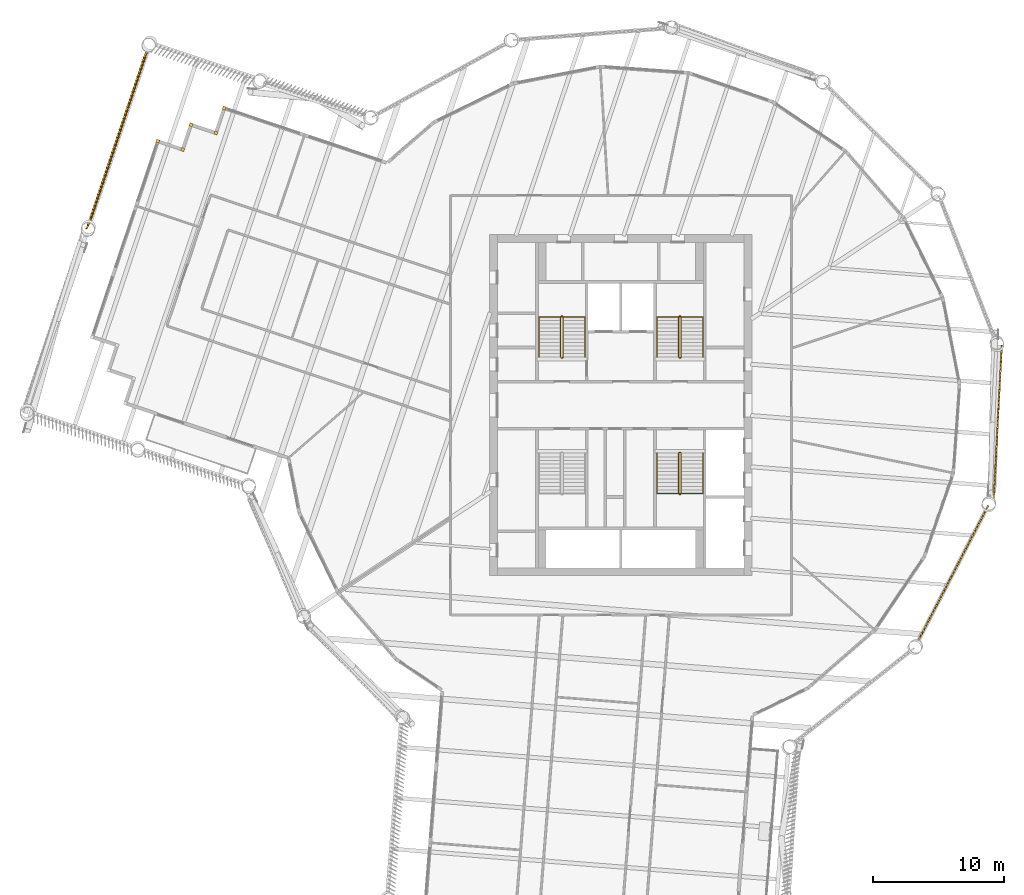
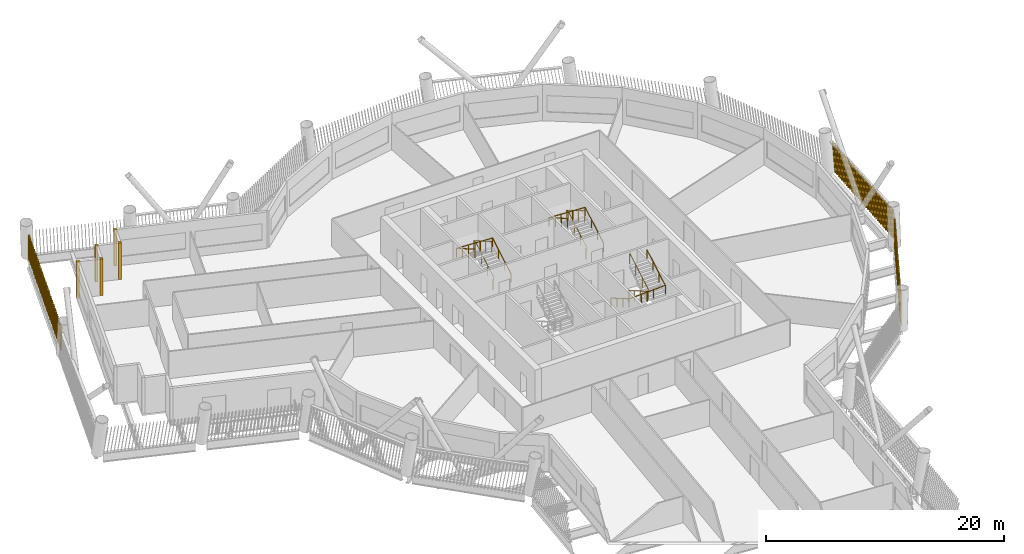
# One storey, part 19 of 21: 8 shading devices, 6 railings.
"""IFC4 building model written with IfcOpenShell, lengths in metres."""

import ifcopenshell
import ifcopenshell.guid

model = None  # the IFC model being written
_history = None  # IfcOwnerHistory: only IFC2X3 demands one
_inside = {}  # id of a spatial element -> (the spatial element, [elements in it])
_under = {}  # id of a project, library or spatial element -> (it, [spatial elements below it])
_declared = {}  # id of a project -> (the project, [libraries it declares])
_typed = {}  # id of a type object -> (the type object, [elements of that type])
_made_of = {}  # id of a material, layer set ... -> (it, [elements and type objects made of it])


def new_model(schema):
    """Start an empty IFC model of exactly this schema.

    Asked for "IFC4X3", IfcOpenShell would pick the latest addendum, in which some entities
    have other attributes; the version numbers below select the first issue.
    IFC2X3 requires an IfcOwnerHistory on every rooted entity: one is made here for all.
    """
    global model, _history
    if schema == "IFC4X3":
        model = ifcopenshell.file(schema_version=(4, 3, 0, 0))
    else:
        model = ifcopenshell.file(schema=schema)
    _inside.clear()
    _under.clear()
    _declared.clear()
    _typed.clear()
    _made_of.clear()
    _history = None
    if model.schema == "IFC2X3":
        org = make("IfcOrganization", Name="unknown")
        user = make(
            "IfcPersonAndOrganization",
            ThePerson=make("IfcPerson", FamilyName="unknown"),
            TheOrganization=org,
        )
        app = make(
            "IfcApplication",
            ApplicationDeveloper=org,
            Version="unknown",
            ApplicationFullName="unknown",
            ApplicationIdentifier="unknown",
        )
        _history = make(
            "IfcOwnerHistory",
            OwningUser=user,
            OwningApplication=app,
            ChangeAction="ADDED",
            CreationDate=0,
        )
    return model


def make(cls, **values):
    """One entity of the class cls with the attributes given. An attribute that is None is left unset."""
    return model.create_entity(
        cls, **{name: value for name, value in values.items() if value is not None}
    )


def rooted(cls, **values):
    """An entity with a GlobalId (a new one), such as an element, a storey or a relation."""
    return make(cls, GlobalId=ifcopenshell.guid.new(), OwnerHistory=_history, **values)


def si_unit(unit_type, name, prefix=None):
    """IfcSIUnit, for example si_unit("LENGTHUNIT", "METRE", prefix="MILLI")."""
    return make("IfcSIUnit", UnitType=unit_type, Prefix=prefix, Name=name)


def assignment(units):
    """IfcUnitAssignment: the units of a project."""
    return None if units is None else make("IfcUnitAssignment", Units=units)


def point(xyz):
    """IfcCartesianPoint."""
    return None if xyz is None else make("IfcCartesianPoint", Coordinates=xyz)


def direction(xyz):
    """IfcDirection."""
    return None if xyz is None else make("IfcDirection", DirectionRatios=xyz)


def frame(location, z_axis=None, x_axis=None):
    """IfcAxis2Placement3D, a coordinate frame: its origin and axes. An axis left out is left unset."""
    return make(
        "IfcAxis2Placement3D",
        Location=point(location),
        Axis=direction(z_axis),
        RefDirection=direction(x_axis),
    )


def frame_2d(location, x_axis=None):
    """IfcAxis2Placement2D, a coordinate frame in the plane: its origin and x axis."""
    return make(
        "IfcAxis2Placement2D", Location=point(location), RefDirection=direction(x_axis)
    )


def origin():
    """The frame at (0, 0, 0) with its axes left unset."""
    return frame((0.0, 0.0, 0.0))


def origin_2d():
    """The frame at (0, 0) in the plane with its x axis left unset."""
    return frame_2d((0.0, 0.0))


def place(relative_to, where):
    """IfcLocalPlacement: puts the frame where relative to a parent placement (None: the world)."""
    return make(
        "IfcLocalPlacement", PlacementRelTo=relative_to, RelativePlacement=where
    )


def context(
    kind, dimensions, precision=None, world=None, true_north=None, identifier=None
):
    """IfcGeometricRepresentationContext, for example the 3D "Model" context."""
    return make(
        "IfcGeometricRepresentationContext",
        ContextIdentifier=identifier,
        ContextType=kind,
        CoordinateSpaceDimension=dimensions,
        Precision=precision,
        WorldCoordinateSystem=world,
        TrueNorth=true_north,
    )


def subcontext(parent, identifier, kind, view, scale=None):
    """IfcGeometricRepresentationSubContext, for example "Body" below "Model"."""
    return make(
        "IfcGeometricRepresentationSubContext",
        ContextIdentifier=identifier,
        ContextType=kind,
        ParentContext=parent,
        TargetScale=scale,
        TargetView=view,
    )


def project(units=None, contexts=None):
    """IfcProject with its units and contexts."""
    return rooted(
        "IfcProject",
        Name="project",
        RepresentationContexts=contexts,
        UnitsInContext=assignment(units),
    )


def spatial(cls, under=None, at=None, **own):
    """A site, building, storey or space (cls), placed at a placement, below another one or the project."""
    s = rooted(cls, ObjectPlacement=at, **own)
    if under is not None:
        _under.setdefault(under.id(), (under, []))[1].append(s)
    return s


def profile(cls, at=None, kind="AREA", **sizes):
    """A parametric profile (cls). Its sizes go by their IFC names, for example OverallWidth=200.0."""
    return make(cls, ProfileType=kind, Position=at, **sizes)


def rectangle(**sizes):
    """IfcRectangleProfileDef."""
    return profile("IfcRectangleProfileDef", **sizes)


def circle(**sizes):
    """IfcCircleProfileDef."""
    return profile("IfcCircleProfileDef", **sizes)


def composite_profile(profiles, kind="AREA"):
    """IfcCompositeProfileDef: several profiles as one."""
    return make("IfcCompositeProfileDef", ProfileType=kind, Profiles=profiles)


def extrude(swept, where, along, depth):
    """IfcExtrudedAreaSolid: the profile swept, set in the frame where, extruded along a direction by depth."""
    return make(
        "IfcExtrudedAreaSolid",
        SweptArea=swept,
        Position=where,
        ExtrudedDirection=direction(along),
        Depth=depth,
    )


def shape(context_of_items, identifier, shape_type, items):
    """IfcShapeRepresentation: the items that make up one representation, for example the "Body"."""
    return make(
        "IfcShapeRepresentation",
        ContextOfItems=context_of_items,
        RepresentationIdentifier=identifier,
        RepresentationType=shape_type,
        Items=items,
    )


def material(Name=None, Category=None):
    """IfcMaterial."""
    return make("IfcMaterial", Name=Name, Category=Category)


def made_of(thing, what):
    """Note that an element or type object is made of a material, layer set ...; save() writes the relation."""
    if what is not None:
        _made_of.setdefault(what.id(), (what, []))[1].append(thing)
    return thing


def type_object(cls, material=None, **own):
    """A type object (cls), such as IfcWallType, which elements share."""
    return made_of(rooted(cls, **own), material)


def element(
    cls,
    number,
    at=None,
    inside=None,
    cuts=None,
    type_object=None,
    material=None,
    context=None,
    identifier="Body",
    shape_type=None,
    held_by="IfcProductDefinitionShape",
    body=None,
    shapes=None,
    **own,
):
    """One element of the class cls, such as IfcWall. Its Tag is "e" and its number.

    at: its placement. inside: the storey or other place that contains it. cuts: it is an
    opening in that element (IfcRelVoidsElement). A single representation is given by context,
    identifier, shape_type and body (its items); several are given by shapes. held_by: the class
    of the entity that holds the representations. save() writes the other relations.
    """
    e = rooted(cls, Tag="e%d" % number, ObjectPlacement=at, **own)
    if body is not None:
        shapes = [shape(context, identifier, shape_type, body)]
    if shapes is not None:
        e.Representation = make(held_by, Representations=shapes)
    if inside is not None:
        _inside.setdefault(inside.id(), (inside, []))[1].append(e)
    if cuts is not None:
        rooted(
            "IfcRelVoidsElement", RelatingBuildingElement=cuts, RelatedOpeningElement=e
        )
    if type_object is not None:
        _typed.setdefault(type_object.id(), (type_object, []))[1].append(e)
    return made_of(e, material)


def aggregate(whole, parts):
    """IfcRelAggregates: a whole, such as a stair, and the parts it consists of."""
    return rooted("IfcRelAggregates", RelatingObject=whole, RelatedObjects=parts)


def save(model, path):
    """Write the relations noted so far, then the file.

    IfcRelAggregates (storeys below a building ...), IfcRelContainedInSpatialStructure (elements
    in a storey), IfcRelDefinesByType, IfcRelAssociatesMaterial and IfcRelDeclares: one each for
    every whole, place, type object, material and project.
    """
    for whole, parts in _under.values():
        aggregate(whole, parts)
    for where, things in _inside.values():
        rooted(
            "IfcRelContainedInSpatialStructure",
            RelatedElements=things,
            RelatingStructure=where,
        )
    for kind, things in _typed.values():
        rooted("IfcRelDefinesByType", RelatedObjects=things, RelatingType=kind)
    for what, things in _made_of.values():
        rooted("IfcRelAssociatesMaterial", RelatedObjects=things, RelatingMaterial=what)
    for by, libraries in _declared.values():
        rooted("IfcRelDeclares", RelatingContext=by, RelatedDefinitions=libraries)
    model.write(path)


model = new_model("IFC4")

# Units and contexts
model_context = context("Model", 3, precision=1e-05, world=origin(), true_north=direction((0.0, 1.0)))
body_context = subcontext(model_context, "Body", "Model", "MODEL_VIEW")
ifc_project = project(units=[si_unit("LENGTHUNIT", "METRE"), si_unit("AREAUNIT", "SQUARE_METRE"), si_unit("VOLUMEUNIT", "CUBIC_METRE"), si_unit("PLANEANGLEUNIT", "RADIAN"), si_unit("MASSUNIT", "GRAM", prefix="KILO")], contexts=[model_context])

# Site, building, storey
site_placement = place(None, origin())
site = spatial("IfcSite", under=ifc_project, at=site_placement, CompositionType="ELEMENT")
building_placement = place(site_placement, origin())
building = spatial("IfcBuilding", under=site, at=building_placement, Name="Tarsis Ring Headquarters", CompositionType="ELEMENT")
storey_placement = place(building_placement, frame((0.0, 0.0, 208.199951171875)))
storey = spatial("IfcBuildingStorey", under=building, at=storey_placement, Name="L48", CompositionType="ELEMENT", Elevation=208.199951171875)

# Railings
ifc_material_1 = material(Name="Steel S355", Category="steel")
railing_type_1 = type_object("IfcRailingType", Name="Core stair guard 1100", PredefinedType="GUARDRAIL", material=ifc_material_1)
railing_1_placement = place(storey_placement, frame((-4.5400390625, 3.610107421875, 0.0)))
element("IfcRailing", 1, at=railing_1_placement, inside=storey, type_object=railing_type_1, Name="L48 ST1 stair guard 1", PredefinedType="GUARDRAIL", context=body_context, shape_type="SweptSolid", body=[
    extrude(circle(Radius=0.02392578125, at=origin_2d()), frame((0.0, 0.0, 1.076171875), z_axis=(1.0, 0.0, 0.0), x_axis=(0.0, 1.0, 0.0)), (0.0, 0.0, 1.0), 0.080078125),
    extrude(circle(Radius=0.02392578125, at=origin_2d()), frame((0.080078125, 0.0, 1.076171875), z_axis=(0.282336740067, 0.280959487676, 0.917250092119), x_axis=(-0.705375805398, 0.708833529934, 0.0)), (0.0, 0.0, 1.0), 0.17724609375),
    extrude(circle(Radius=0.02392578125, at=origin_2d()), frame((0.130126953125, 0.0498046875, 1.23876953125), z_axis=(0.0, 0.864920483161, 0.501908913857), x_axis=(-1.0, 0.0, 0.0)), (0.0, 0.0, 1.0), 3.56103515625),
    extrude(circle(Radius=0.02392578125, at=origin_2d()), frame((0.130126953125, 3.1298828125, 3.02587890625), z_axis=(-0.707106781187, 0.707106781187, 0.0), x_axis=(-0.707106781187, -0.707106781187, 0.0)), (0.0, 0.0, 1.0), 0.07080078125),
    extrude(circle(Radius=0.02392578125, at=origin_2d()), frame((0.080078125, 3.179931640625, 3.02587890625), z_axis=(-1.0, 0.0, 0.0), x_axis=(0.0, -1.0, 0.0)), (0.0, 0.0, 1.0), 0.080078125),
    extrude(circle(Radius=0.02392578125, at=origin_2d()), frame((0.0, 3.179931640625, 3.02587890625), z_axis=(-0.282227285176, -0.282227285176, 0.916894497205), x_axis=(0.707106781187, -0.707106781187, 0.0)), (0.0, 0.0, 1.0), 0.17724609375),
    extrude(circle(Radius=0.02392578125, at=origin_2d()), frame((-0.050048828125, 3.1298828125, 3.1884765625), z_axis=(0.0, -0.864890721111, 0.501960198159), x_axis=(1.0, 0.0, 0.0)), (0.0, 0.0, 1.0), 3.561279296875),
    extrude(circle(Radius=0.02099609375, at=origin_2d()), origin(), (0.0, 0.0, 1.0), 1.052001953125),
    extrude(circle(Radius=0.02099609375, at=origin_2d()), frame((0.080078125, 0.0, 0.0)), (0.0, 0.0, 1.0), 1.052001953125),
    extrude(circle(Radius=0.02099609375, at=origin_2d()), frame((0.130126953125, 0.0498046875, 0.16259765625)), (0.0, 0.0, 1.0), 1.052001953125),
    extrude(circle(Radius=0.02099609375, at=origin_2d()), frame((0.130126953125, 1.076416015625, 0.75830078125)), (0.0, 0.0, 1.0), 1.052001953125),
    extrude(circle(Radius=0.02099609375, at=origin_2d()), frame((0.130126953125, 2.103271484375, 1.354248046875)), (0.0, 0.0, 1.0), 1.052001953125),
    extrude(circle(Radius=0.02099609375, at=origin_2d()), frame((0.130126953125, 3.1298828125, 1.949951171875)), (0.0, 0.0, 1.0), 1.052001953125),
    extrude(circle(Radius=0.02099609375, at=origin_2d()), frame((0.080078125, 3.179931640625, 1.949951171875)), (0.0, 0.0, 1.0), 1.052001953125),
    extrude(circle(Radius=0.02099609375, at=origin_2d()), frame((0.0, 3.179931640625, 1.949951171875)), (0.0, 0.0, 1.0), 1.052001953125),
    extrude(circle(Radius=0.02099609375, at=origin_2d()), frame((-0.050048828125, 3.1298828125, 2.112548828125)), (0.0, 0.0, 1.0), 1.052001953125),
    extrude(circle(Radius=0.02099609375, at=origin_2d()), frame((-0.050048828125, 2.103271484375, 2.70849609375)), (0.0, 0.0, 1.0), 1.052001953125),
    extrude(circle(Radius=0.02099609375, at=origin_2d()), frame((-0.050048828125, 1.076416015625, 3.30419921875)), (0.0, 0.0, 1.0), 1.052001953125),
    extrude(circle(Radius=0.02099609375, at=origin_2d()), frame((-0.050048828125, 0.0498046875, 3.900146484375)), (0.0, 0.0, 1.0), 1.052001953125),
])
railing_2_placement = place(storey_placement, frame((4.4599609375, 3.610107421875, 0.0)))
element("IfcRailing", 2, at=railing_2_placement, inside=storey, type_object=railing_type_1, Name="L48 ST2 stair guard 1", PredefinedType="GUARDRAIL", context=body_context, shape_type="SweptSolid", body=[
    extrude(circle(Radius=0.02392578125, at=origin_2d()), frame((0.0, 0.0, 1.076171875), z_axis=(1.0, 0.0, 0.0), x_axis=(0.0, 1.0, 0.0)), (0.0, 0.0, 1.0), 0.080078125),
    extrude(circle(Radius=0.02392578125, at=origin_2d()), frame((0.080078125, 0.0, 1.076171875), z_axis=(0.282336740067, 0.280959487676, 0.917250092119), x_axis=(-0.705375805398, 0.708833529934, 0.0)), (0.0, 0.0, 1.0), 0.17724609375),
    extrude(circle(Radius=0.02392578125, at=origin_2d()), frame((0.130126953125, 0.0498046875, 1.23876953125), z_axis=(0.0, 0.864920483161, 0.501908913857), x_axis=(-1.0, 0.0, 0.0)), (0.0, 0.0, 1.0), 3.56103515625),
    extrude(circle(Radius=0.02392578125, at=origin_2d()), frame((0.130126953125, 3.1298828125, 3.02587890625), z_axis=(-0.707106781187, 0.707106781187, 0.0), x_axis=(-0.707106781187, -0.707106781187, 0.0)), (0.0, 0.0, 1.0), 0.07080078125),
    extrude(circle(Radius=0.02392578125, at=origin_2d()), frame((0.080078125, 3.179931640625, 3.02587890625), z_axis=(-1.0, 0.0, 0.0), x_axis=(0.0, -1.0, 0.0)), (0.0, 0.0, 1.0), 0.080078125),
    extrude(circle(Radius=0.02392578125, at=origin_2d()), frame((0.0, 3.179931640625, 3.02587890625), z_axis=(-0.282227285176, -0.282227285176, 0.916894497205), x_axis=(0.707106781187, -0.707106781187, 0.0)), (0.0, 0.0, 1.0), 0.17724609375),
    extrude(circle(Radius=0.02392578125, at=origin_2d()), frame((-0.050048828125, 3.1298828125, 3.1884765625), z_axis=(0.0, -0.864890721111, 0.501960198159), x_axis=(1.0, 0.0, 0.0)), (0.0, 0.0, 1.0), 3.561279296875),
    extrude(circle(Radius=0.02099609375, at=origin_2d()), origin(), (0.0, 0.0, 1.0), 1.052001953125),
    extrude(circle(Radius=0.02099609375, at=origin_2d()), frame((0.080078125, 0.0, 0.0)), (0.0, 0.0, 1.0), 1.052001953125),
    extrude(circle(Radius=0.02099609375, at=origin_2d()), frame((0.130126953125, 0.0498046875, 0.16259765625)), (0.0, 0.0, 1.0), 1.052001953125),
    extrude(circle(Radius=0.02099609375, at=origin_2d()), frame((0.130126953125, 1.076416015625, 0.75830078125)), (0.0, 0.0, 1.0), 1.052001953125),
    extrude(circle(Radius=0.02099609375, at=origin_2d()), frame((0.130126953125, 2.103271484375, 1.354248046875)), (0.0, 0.0, 1.0), 1.052001953125),
    extrude(circle(Radius=0.02099609375, at=origin_2d()), frame((0.130126953125, 3.1298828125, 1.949951171875)), (0.0, 0.0, 1.0), 1.052001953125),
    extrude(circle(Radius=0.02099609375, at=origin_2d()), frame((0.080078125, 3.179931640625, 1.949951171875)), (0.0, 0.0, 1.0), 1.052001953125),
    extrude(circle(Radius=0.02099609375, at=origin_2d()), frame((0.0, 3.179931640625, 1.949951171875)), (0.0, 0.0, 1.0), 1.052001953125),
    extrude(circle(Radius=0.02099609375, at=origin_2d()), frame((-0.050048828125, 3.1298828125, 2.112548828125)), (0.0, 0.0, 1.0), 1.052001953125),
    extrude(circle(Radius=0.02099609375, at=origin_2d()), frame((-0.050048828125, 2.103271484375, 2.70849609375)), (0.0, 0.0, 1.0), 1.052001953125),
    extrude(circle(Radius=0.02099609375, at=origin_2d()), frame((-0.050048828125, 1.076416015625, 3.30419921875)), (0.0, 0.0, 1.0), 1.052001953125),
    extrude(circle(Radius=0.02099609375, at=origin_2d()), frame((-0.050048828125, 0.0498046875, 3.900146484375)), (0.0, 0.0, 1.0), 1.052001953125),
])
railing_3_placement = place(storey_placement, frame((4.5400390625, -3.610107421875, 0.0)))
element("IfcRailing", 3, at=railing_3_placement, inside=storey, type_object=railing_type_1, Name="L48 ST4 stair guard 1", PredefinedType="GUARDRAIL", context=body_context, shape_type="SweptSolid", body=[
    extrude(circle(Radius=0.02392578125, at=origin_2d()), frame((0.0, 0.0, 1.076171875), z_axis=(-1.0, 0.0, 0.0), x_axis=(0.0, -1.0, 0.0)), (0.0, 0.0, 1.0), 0.080078125),
    extrude(circle(Radius=0.02392578125, at=origin_2d()), frame((-0.080078125, 0.0, 1.076171875), z_axis=(-0.282336740067, -0.280959487676, 0.917250092119), x_axis=(0.705375805398, -0.708833529934, 0.0)), (0.0, 0.0, 1.0), 0.17724609375),
    extrude(circle(Radius=0.02392578125, at=origin_2d()), frame((-0.130126953125, -0.0498046875, 1.23876953125), z_axis=(0.0, -0.864920483161, 0.501908913857), x_axis=(1.0, 0.0, 0.0)), (0.0, 0.0, 1.0), 3.56103515625),
    extrude(circle(Radius=0.02392578125, at=origin_2d()), frame((-0.130126953125, -3.1298828125, 3.02587890625), z_axis=(0.707106781187, -0.707106781187, 0.0), x_axis=(0.707106781187, 0.707106781187, 0.0)), (0.0, 0.0, 1.0), 0.07080078125),
    extrude(circle(Radius=0.02392578125, at=origin_2d()), frame((-0.080078125, -3.179931640625, 3.02587890625), z_axis=(1.0, 0.0, 0.0), x_axis=(0.0, 1.0, 0.0)), (0.0, 0.0, 1.0), 0.080078125),
    extrude(circle(Radius=0.02392578125, at=origin_2d()), frame((0.0, -3.179931640625, 3.02587890625), z_axis=(0.282227285176, 0.282227285176, 0.916894497205), x_axis=(-0.707106781187, 0.707106781187, 0.0)), (0.0, 0.0, 1.0), 0.17724609375),
    extrude(circle(Radius=0.02392578125, at=origin_2d()), frame((0.050048828125, -3.1298828125, 3.1884765625), z_axis=(0.0, 0.864890721111, 0.501960198159), x_axis=(-1.0, 0.0, 0.0)), (0.0, 0.0, 1.0), 3.561279296875),
    extrude(circle(Radius=0.02099609375, at=origin_2d()), origin(), (0.0, 0.0, 1.0), 1.052001953125),
    extrude(circle(Radius=0.02099609375, at=origin_2d()), frame((-0.080078125, 0.0, 0.0)), (0.0, 0.0, 1.0), 1.052001953125),
    extrude(circle(Radius=0.02099609375, at=origin_2d()), frame((-0.130126953125, -0.0498046875, 0.16259765625)), (0.0, 0.0, 1.0), 1.052001953125),
    extrude(circle(Radius=0.02099609375, at=origin_2d()), frame((-0.130126953125, -1.076416015625, 0.75830078125)), (0.0, 0.0, 1.0), 1.052001953125),
    extrude(circle(Radius=0.02099609375, at=origin_2d()), frame((-0.130126953125, -2.103271484375, 1.354248046875)), (0.0, 0.0, 1.0), 1.052001953125),
    extrude(circle(Radius=0.02099609375, at=origin_2d()), frame((-0.130126953125, -3.1298828125, 1.949951171875)), (0.0, 0.0, 1.0), 1.052001953125),
    extrude(circle(Radius=0.02099609375, at=origin_2d()), frame((-0.080078125, -3.179931640625, 1.949951171875)), (0.0, 0.0, 1.0), 1.052001953125),
    extrude(circle(Radius=0.02099609375, at=origin_2d()), frame((0.0, -3.179931640625, 1.949951171875)), (0.0, 0.0, 1.0), 1.052001953125),
    extrude(circle(Radius=0.02099609375, at=origin_2d()), frame((0.050048828125, -3.1298828125, 2.112548828125)), (0.0, 0.0, 1.0), 1.052001953125),
    extrude(circle(Radius=0.02099609375, at=origin_2d()), frame((0.050048828125, -2.103271484375, 2.70849609375)), (0.0, 0.0, 1.0), 1.052001953125),
    extrude(circle(Radius=0.02099609375, at=origin_2d()), frame((0.050048828125, -1.076416015625, 3.30419921875)), (0.0, 0.0, 1.0), 1.052001953125),
    extrude(circle(Radius=0.02099609375, at=origin_2d()), frame((0.050048828125, -0.0498046875, 3.900146484375)), (0.0, 0.0, 1.0), 1.052001953125),
])
railing_type_2 = type_object("IfcRailingType", Name="Core stair handrail 900", PredefinedType="HANDRAIL", material=ifc_material_1)
railing_4_placement = place(storey_placement, frame((-2.75, 3.659912109375, 0.16259765625)))
element("IfcRailing", 4, at=railing_4_placement, inside=storey, type_object=railing_type_2, Name="L48 ST1 stair handrail 1", PredefinedType="HANDRAIL", context=body_context, shape_type="SweptSolid", body=[
    extrude(circle(Radius=0.02392578125, at=origin_2d()), frame((0.0, 0.0, 0.8759765625), z_axis=(0.0, 0.864920483161, 0.501908913857), x_axis=(-1.0, 0.0, 0.0)), (0.0, 0.0, 1.0), 3.56103515625),
    extrude(circle(Radius=0.02392578125, at=origin_2d()), frame((0.0, 3.080078125, 2.6630859375), z_axis=(-0.998922641604, 0.0, 0.046406422943), x_axis=(0.0, -1.0, 0.0)), (0.0, 0.0, 1.0), 3.503662109375),
    extrude(circle(Radius=0.02392578125, at=origin_2d()), frame((-3.5, 3.080078125, 2.82568359375), z_axis=(0.0, -0.864890721111, 0.501960198159), x_axis=(1.0, 0.0, 0.0)), (0.0, 0.0, 1.0), 3.561279296875),
    extrude(circle(Radius=0.02099609375, at=origin_2d()), origin(), (0.0, 0.0, 1.0), 0.851806640625),
    extrude(circle(Radius=0.02099609375, at=origin_2d()), frame((0.0, 1.026611328125, 0.595703125)), (0.0, 0.0, 1.0), 0.851806640625),
    extrude(circle(Radius=0.02099609375, at=origin_2d()), frame((0.0, 2.053466796875, 1.191650390625)), (0.0, 0.0, 1.0), 0.851806640625),
    extrude(circle(Radius=0.02099609375, at=origin_2d()), frame((0.0, 3.080078125, 1.787353515625)), (0.0, 0.0, 1.0), 0.851806640625),
    extrude(circle(Radius=0.02099609375, at=origin_2d()), frame((-1.166748046875, 3.080078125, 1.841552734375)), (0.0, 0.0, 1.0), 0.851806640625),
    extrude(circle(Radius=0.02099609375, at=origin_2d()), frame((-2.333251953125, 3.080078125, 1.895751953125)), (0.0, 0.0, 1.0), 0.851806640625),
    extrude(circle(Radius=0.02099609375, at=origin_2d()), frame((-3.5, 3.080078125, 1.949951171875)), (0.0, 0.0, 1.0), 0.851806640625),
    extrude(circle(Radius=0.02099609375, at=origin_2d()), frame((-3.5, 2.053466796875, 2.5458984375)), (0.0, 0.0, 1.0), 0.851806640625),
    extrude(circle(Radius=0.02099609375, at=origin_2d()), frame((-3.5, 1.026611328125, 3.1416015625)), (0.0, 0.0, 1.0), 0.851806640625),
    extrude(circle(Radius=0.02099609375, at=origin_2d()), frame((-3.5, 0.0, 3.737548828125)), (0.0, 0.0, 1.0), 0.851806640625),
])
railing_5_placement = place(storey_placement, frame((6.25, 3.659912109375, 0.16259765625)))
element("IfcRailing", 5, at=railing_5_placement, inside=storey, type_object=railing_type_2, Name="L48 ST2 stair handrail 1", PredefinedType="HANDRAIL", context=body_context, shape_type="SweptSolid", body=[
    extrude(circle(Radius=0.02392578125, at=origin_2d()), frame((0.0, 0.0, 0.8759765625), z_axis=(0.0, 0.864920483161, 0.501908913857), x_axis=(-1.0, 0.0, 0.0)), (0.0, 0.0, 1.0), 3.56103515625),
    extrude(circle(Radius=0.02392578125, at=origin_2d()), frame((0.0, 3.080078125, 2.6630859375), z_axis=(-0.998922641604, 0.0, 0.046406422943), x_axis=(0.0, -1.0, 0.0)), (0.0, 0.0, 1.0), 3.503662109375),
    extrude(circle(Radius=0.02392578125, at=origin_2d()), frame((-3.5, 3.080078125, 2.82568359375), z_axis=(0.0, -0.864890721111, 0.501960198159), x_axis=(1.0, 0.0, 0.0)), (0.0, 0.0, 1.0), 3.561279296875),
    extrude(circle(Radius=0.02099609375, at=origin_2d()), origin(), (0.0, 0.0, 1.0), 0.851806640625),
    extrude(circle(Radius=0.02099609375, at=origin_2d()), frame((0.0, 1.026611328125, 0.595703125)), (0.0, 0.0, 1.0), 0.851806640625),
    extrude(circle(Radius=0.02099609375, at=origin_2d()), frame((0.0, 2.053466796875, 1.191650390625)), (0.0, 0.0, 1.0), 0.851806640625),
    extrude(circle(Radius=0.02099609375, at=origin_2d()), frame((0.0, 3.080078125, 1.787353515625)), (0.0, 0.0, 1.0), 0.851806640625),
    extrude(circle(Radius=0.02099609375, at=origin_2d()), frame((-1.166748046875, 3.080078125, 1.841552734375)), (0.0, 0.0, 1.0), 0.851806640625),
    extrude(circle(Radius=0.02099609375, at=origin_2d()), frame((-2.333251953125, 3.080078125, 1.895751953125)), (0.0, 0.0, 1.0), 0.851806640625),
    extrude(circle(Radius=0.02099609375, at=origin_2d()), frame((-3.5, 3.080078125, 1.949951171875)), (0.0, 0.0, 1.0), 0.851806640625),
    extrude(circle(Radius=0.02099609375, at=origin_2d()), frame((-3.5, 2.053466796875, 2.5458984375)), (0.0, 0.0, 1.0), 0.851806640625),
    extrude(circle(Radius=0.02099609375, at=origin_2d()), frame((-3.5, 1.026611328125, 3.1416015625)), (0.0, 0.0, 1.0), 0.851806640625),
    extrude(circle(Radius=0.02099609375, at=origin_2d()), frame((-3.5, 0.0, 3.737548828125)), (0.0, 0.0, 1.0), 0.851806640625),
])
railing_6_placement = place(storey_placement, frame((2.75, -3.659912109375, 0.16259765625)))
element("IfcRailing", 6, at=railing_6_placement, inside=storey, type_object=railing_type_2, Name="L48 ST4 stair handrail 1", PredefinedType="HANDRAIL", context=body_context, shape_type="SweptSolid", body=[
    extrude(circle(Radius=0.02392578125, at=origin_2d()), frame((0.0, 0.0, 0.8759765625), z_axis=(0.0, -0.864920483161, 0.501908913857), x_axis=(1.0, 0.0, 0.0)), (0.0, 0.0, 1.0), 3.56103515625),
    extrude(circle(Radius=0.02392578125, at=origin_2d()), frame((0.0, -3.080078125, 2.6630859375), z_axis=(0.998922641604, 0.0, 0.046406422943), x_axis=(0.0, 1.0, 0.0)), (0.0, 0.0, 1.0), 3.503662109375),
    extrude(circle(Radius=0.02392578125, at=origin_2d()), frame((3.5, -3.080078125, 2.82568359375), z_axis=(0.0, 0.864890721111, 0.501960198159), x_axis=(-1.0, 0.0, 0.0)), (0.0, 0.0, 1.0), 3.561279296875),
    extrude(circle(Radius=0.02099609375, at=origin_2d()), origin(), (0.0, 0.0, 1.0), 0.851806640625),
    extrude(circle(Radius=0.02099609375, at=origin_2d()), frame((0.0, -1.026611328125, 0.595703125)), (0.0, 0.0, 1.0), 0.851806640625),
    extrude(circle(Radius=0.02099609375, at=origin_2d()), frame((0.0, -2.053466796875, 1.191650390625)), (0.0, 0.0, 1.0), 0.851806640625),
    extrude(circle(Radius=0.02099609375, at=origin_2d()), frame((0.0, -3.080078125, 1.787353515625)), (0.0, 0.0, 1.0), 0.851806640625),
    extrude(circle(Radius=0.02099609375, at=origin_2d()), frame((1.166748046875, -3.080078125, 1.841552734375)), (0.0, 0.0, 1.0), 0.851806640625),
    extrude(circle(Radius=0.02099609375, at=origin_2d()), frame((2.333251953125, -3.080078125, 1.895751953125)), (0.0, 0.0, 1.0), 0.851806640625),
    extrude(circle(Radius=0.02099609375, at=origin_2d()), frame((3.5, -3.080078125, 1.949951171875)), (0.0, 0.0, 1.0), 0.851806640625),
    extrude(circle(Radius=0.02099609375, at=origin_2d()), frame((3.5, -2.053466796875, 2.5458984375)), (0.0, 0.0, 1.0), 0.851806640625),
    extrude(circle(Radius=0.02099609375, at=origin_2d()), frame((3.5, -1.026611328125, 3.1416015625)), (0.0, 0.0, 1.0), 0.851806640625),
    extrude(circle(Radius=0.02099609375, at=origin_2d()), frame((3.5, 0.0, 3.737548828125)), (0.0, 0.0, 1.0), 0.851806640625),
])

# Shading devices
ifc_material_2 = material(Name="Terracotta baguette", Category="masonry")
shading_device_type_1 = type_object("IfcShadingDeviceType", Name="Terracotta baguette screen", PredefinedType="USERDEFINED", material=ifc_material_2)
shading_device_1_placement = place(storey_placement, frame((22.629150390625, -18.0517578125, 0.0), z_axis=(0.0, 0.0, 1.0), x_axis=(0.459837221921, 0.888008681498, 0.0)))
element("IfcShadingDevice", 7, at=shading_device_1_placement, inside=storey, type_object=shading_device_type_1, Name="Baguette screen L48-08", ObjectType="Terracotta baguette screen", PredefinedType="USERDEFINED", context=body_context, shape_type="SweptSolid", body=[
    extrude(composite_profile([rectangle(XDim=0.06005859375, YDim=0.1201171875, at=frame_2d((0.030029296875, 0.0))), rectangle(XDim=0.06005859375, YDim=0.1201171875, at=frame_2d((0.33251953125, 0.0))), rectangle(XDim=0.06005859375, YDim=0.1201171875, at=frame_2d((0.634765625, 0.0))), rectangle(XDim=0.06005859375, YDim=0.1201171875, at=frame_2d((0.937255859375, 0.0))), rectangle(XDim=0.06005859375, YDim=0.1201171875, at=frame_2d((1.239501953125, 0.0))), rectangle(XDim=0.06005859375, YDim=0.1201171875, at=frame_2d((1.5419921875, 0.0))), rectangle(XDim=0.06005859375, YDim=0.1201171875, at=frame_2d((1.844482421875, 0.0))), rectangle(XDim=0.06005859375, YDim=0.1201171875, at=frame_2d((2.146728515625, 0.0))), rectangle(XDim=0.06005859375, YDim=0.1201171875, at=frame_2d((2.44921875, 0.0))), rectangle(XDim=0.06005859375, YDim=0.1201171875, at=frame_2d((2.751708984375, 0.0))), rectangle(XDim=0.06005859375, YDim=0.1201171875, at=frame_2d((3.053955078125, 0.0))), rectangle(XDim=0.06005859375, YDim=0.1201171875, at=frame_2d((3.3564453125, 0.0))), rectangle(XDim=0.06005859375, YDim=0.1201171875, at=frame_2d((3.65869140625, 0.0))), rectangle(XDim=0.06005859375, YDim=0.1201171875, at=frame_2d((3.961181640625, 0.0))), rectangle(XDim=0.06005859375, YDim=0.1201171875, at=frame_2d((4.263671875, 0.0))), rectangle(XDim=0.06005859375, YDim=0.1201171875, at=frame_2d((4.56591796875, 0.0))), rectangle(XDim=0.06005859375, YDim=0.1201171875, at=frame_2d((4.868408203125, 0.0))), rectangle(XDim=0.06005859375, YDim=0.1201171875, at=frame_2d((5.1708984375, 0.0))), rectangle(XDim=0.06005859375, YDim=0.1201171875, at=frame_2d((5.47314453125, 0.0))), rectangle(XDim=0.06005859375, YDim=0.1201171875, at=frame_2d((5.775634765625, 0.0))), rectangle(XDim=0.06005859375, YDim=0.1201171875, at=frame_2d((6.077880859375, 0.0))), rectangle(XDim=0.06005859375, YDim=0.1201171875, at=frame_2d((6.38037109375, 0.0))), rectangle(XDim=0.06005859375, YDim=0.1201171875, at=frame_2d((6.682861328125, 0.0))), rectangle(XDim=0.06005859375, YDim=0.1201171875, at=frame_2d((6.985107421875, 0.0))), rectangle(XDim=0.06005859375, YDim=0.1201171875, at=frame_2d((7.28759765625, 0.0))), rectangle(XDim=0.06005859375, YDim=0.1201171875, at=frame_2d((7.590087890625, 0.0))), rectangle(XDim=0.06005859375, YDim=0.1201171875, at=frame_2d((7.892333984375, 0.0))), rectangle(XDim=0.06005859375, YDim=0.1201171875, at=frame_2d((8.19482421875, 0.0))), rectangle(XDim=0.06005859375, YDim=0.1201171875, at=frame_2d((8.4970703125, 0.0))), rectangle(XDim=0.06005859375, YDim=0.1201171875, at=frame_2d((8.799560546875, 0.0))), rectangle(XDim=0.06005859375, YDim=0.1201171875, at=frame_2d((9.10205078125, 0.0))), rectangle(XDim=0.06005859375, YDim=0.1201171875, at=frame_2d((9.404296875, 0.0))), rectangle(XDim=0.06005859375, YDim=0.1201171875, at=frame_2d((9.706787109375, 0.0))), rectangle(XDim=0.06005859375, YDim=0.1201171875, at=frame_2d((10.00927734375, 0.0))), rectangle(XDim=0.06005859375, YDim=0.1201171875, at=frame_2d((10.3115234375, 0.0))), rectangle(XDim=0.06005859375, YDim=0.1201171875, at=frame_2d((10.614013671875, 0.0))), rectangle(XDim=0.06005859375, YDim=0.1201171875, at=frame_2d((10.916259765625, 0.0))), rectangle(XDim=0.06005859375, YDim=0.1201171875, at=frame_2d((11.21875, 0.0)))]), origin(), (0.159216921448, 0.001334548228, 0.987242721374), 2.988037109375),
])
shading_device_2_placement = place(storey_placement, frame((28.4326171875, -7.13916015625, 0.0), z_axis=(0.0, 0.0, 1.0), x_axis=(0.052912579217, 0.998589287265, 0.0)))
element("IfcShadingDevice", 8, at=shading_device_2_placement, inside=storey, type_object=shading_device_type_1, Name="Baguette screen L48-09", ObjectType="Terracotta baguette screen", PredefinedType="USERDEFINED", context=body_context, shape_type="SweptSolid", body=[
    extrude(composite_profile([rectangle(XDim=0.06005859375, YDim=0.1201171875, at=frame_2d((0.030029296875, 0.0))), rectangle(XDim=0.06005859375, YDim=0.1201171875, at=frame_2d((0.33251953125, 0.0))), rectangle(XDim=0.06005859375, YDim=0.1201171875, at=frame_2d((0.634765625, 0.0))), rectangle(XDim=0.06005859375, YDim=0.1201171875, at=frame_2d((0.937255859375, 0.0))), rectangle(XDim=0.06005859375, YDim=0.1201171875, at=frame_2d((1.239501953125, 0.0))), rectangle(XDim=0.06005859375, YDim=0.1201171875, at=frame_2d((1.5419921875, 0.0))), rectangle(XDim=0.06005859375, YDim=0.1201171875, at=frame_2d((1.844482421875, 0.0))), rectangle(XDim=0.06005859375, YDim=0.1201171875, at=frame_2d((2.146728515625, 0.0))), rectangle(XDim=0.06005859375, YDim=0.1201171875, at=frame_2d((2.44921875, 0.0))), rectangle(XDim=0.06005859375, YDim=0.1201171875, at=frame_2d((2.751708984375, 0.0))), rectangle(XDim=0.06005859375, YDim=0.1201171875, at=frame_2d((3.053955078125, 0.0))), rectangle(XDim=0.06005859375, YDim=0.1201171875, at=frame_2d((3.3564453125, 0.0))), rectangle(XDim=0.06005859375, YDim=0.1201171875, at=frame_2d((3.65869140625, 0.0))), rectangle(XDim=0.06005859375, YDim=0.1201171875, at=frame_2d((3.961181640625, 0.0))), rectangle(XDim=0.06005859375, YDim=0.1201171875, at=frame_2d((4.263671875, 0.0))), rectangle(XDim=0.06005859375, YDim=0.1201171875, at=frame_2d((4.56591796875, 0.0))), rectangle(XDim=0.06005859375, YDim=0.1201171875, at=frame_2d((4.868408203125, 0.0))), rectangle(XDim=0.06005859375, YDim=0.1201171875, at=frame_2d((5.1708984375, 0.0))), rectangle(XDim=0.06005859375, YDim=0.1201171875, at=frame_2d((5.47314453125, 0.0))), rectangle(XDim=0.06005859375, YDim=0.1201171875, at=frame_2d((5.775634765625, 0.0))), rectangle(XDim=0.06005859375, YDim=0.1201171875, at=frame_2d((6.077880859375, 0.0))), rectangle(XDim=0.06005859375, YDim=0.1201171875, at=frame_2d((6.38037109375, 0.0))), rectangle(XDim=0.06005859375, YDim=0.1201171875, at=frame_2d((6.682861328125, 0.0))), rectangle(XDim=0.06005859375, YDim=0.1201171875, at=frame_2d((6.985107421875, 0.0))), rectangle(XDim=0.06005859375, YDim=0.1201171875, at=frame_2d((7.28759765625, 0.0))), rectangle(XDim=0.06005859375, YDim=0.1201171875, at=frame_2d((7.590087890625, 0.0))), rectangle(XDim=0.06005859375, YDim=0.1201171875, at=frame_2d((7.892333984375, 0.0))), rectangle(XDim=0.06005859375, YDim=0.1201171875, at=frame_2d((8.19482421875, 0.0))), rectangle(XDim=0.06005859375, YDim=0.1201171875, at=frame_2d((8.4970703125, 0.0))), rectangle(XDim=0.06005859375, YDim=0.1201171875, at=frame_2d((8.799560546875, 0.0))), rectangle(XDim=0.06005859375, YDim=0.1201171875, at=frame_2d((9.10205078125, 0.0))), rectangle(XDim=0.06005859375, YDim=0.1201171875, at=frame_2d((9.404296875, 0.0))), rectangle(XDim=0.06005859375, YDim=0.1201171875, at=frame_2d((9.706787109375, 0.0))), rectangle(XDim=0.06005859375, YDim=0.1201171875, at=frame_2d((10.00927734375, 0.0))), rectangle(XDim=0.06005859375, YDim=0.1201171875, at=frame_2d((10.3115234375, 0.0))), rectangle(XDim=0.06005859375, YDim=0.1201171875, at=frame_2d((10.614013671875, 0.0))), rectangle(XDim=0.06005859375, YDim=0.1201171875, at=frame_2d((10.916259765625, 0.0))), rectangle(XDim=0.06005859375, YDim=0.1201171875, at=frame_2d((11.21875, 0.0)))]), origin(), (0.161263210364, 0.00134940098, 0.986910510685), 2.989013671875),
])
shading_device_3_placement = place(storey_placement, frame((-36.041259765625, 27.154296875, 0.0), z_axis=(0.0, 0.0, 1.0), x_axis=(-0.317647058824, -0.948217602831, 0.0)))
element("IfcShadingDevice", 9, at=shading_device_3_placement, inside=storey, type_object=shading_device_type_1, Name="Baguette screen L48-17", ObjectType="Terracotta baguette screen", PredefinedType="USERDEFINED", context=body_context, shape_type="SweptSolid", body=[
    extrude(composite_profile([rectangle(XDim=0.06005859375, YDim=0.1201171875, at=frame_2d((0.030029296875, 0.0))), rectangle(XDim=0.06005859375, YDim=0.1201171875, at=frame_2d((0.33544921875, 0.0))), rectangle(XDim=0.06005859375, YDim=0.1201171875, at=frame_2d((0.640625, 0.0))), rectangle(XDim=0.06005859375, YDim=0.1201171875, at=frame_2d((0.946044921875, 0.0))), rectangle(XDim=0.06005859375, YDim=0.1201171875, at=frame_2d((1.25146484375, 0.0))), rectangle(XDim=0.06005859375, YDim=0.1201171875, at=frame_2d((1.556640625, 0.0))), rectangle(XDim=0.06005859375, YDim=0.1201171875, at=frame_2d((1.862060546875, 0.0))), rectangle(XDim=0.06005859375, YDim=0.1201171875, at=frame_2d((2.16748046875, 0.0))), rectangle(XDim=0.06005859375, YDim=0.1201171875, at=frame_2d((2.47265625, 0.0))), rectangle(XDim=0.06005859375, YDim=0.1201171875, at=frame_2d((2.778076171875, 0.0))), rectangle(XDim=0.06005859375, YDim=0.1201171875, at=frame_2d((3.08349609375, 0.0))), rectangle(XDim=0.06005859375, YDim=0.1201171875, at=frame_2d((3.388671875, 0.0))), rectangle(XDim=0.06005859375, YDim=0.1201171875, at=frame_2d((3.694091796875, 0.0))), rectangle(XDim=0.06005859375, YDim=0.1201171875, at=frame_2d((3.99951171875, 0.0))), rectangle(XDim=0.06005859375, YDim=0.1201171875, at=frame_2d((4.3046875, 0.0))), rectangle(XDim=0.06005859375, YDim=0.1201171875, at=frame_2d((4.610107421875, 0.0))), rectangle(XDim=0.06005859375, YDim=0.1201171875, at=frame_2d((4.91552734375, 0.0))), rectangle(XDim=0.06005859375, YDim=0.1201171875, at=frame_2d((5.220703125, 0.0))), rectangle(XDim=0.06005859375, YDim=0.1201171875, at=frame_2d((5.526123046875, 0.0))), rectangle(XDim=0.06005859375, YDim=0.1201171875, at=frame_2d((5.83154296875, 0.0))), rectangle(XDim=0.06005859375, YDim=0.1201171875, at=frame_2d((6.13671875, 0.0))), rectangle(XDim=0.06005859375, YDim=0.1201171875, at=frame_2d((6.442138671875, 0.0))), rectangle(XDim=0.06005859375, YDim=0.1201171875, at=frame_2d((6.74755859375, 0.0))), rectangle(XDim=0.06005859375, YDim=0.1201171875, at=frame_2d((7.052734375, 0.0))), rectangle(XDim=0.06005859375, YDim=0.1201171875, at=frame_2d((7.358154296875, 0.0))), rectangle(XDim=0.06005859375, YDim=0.1201171875, at=frame_2d((7.66357421875, 0.0))), rectangle(XDim=0.06005859375, YDim=0.1201171875, at=frame_2d((7.96875, 0.0))), rectangle(XDim=0.06005859375, YDim=0.1201171875, at=frame_2d((8.274169921875, 0.0))), rectangle(XDim=0.06005859375, YDim=0.1201171875, at=frame_2d((8.57958984375, 0.0))), rectangle(XDim=0.06005859375, YDim=0.1201171875, at=frame_2d((8.884765625, 0.0))), rectangle(XDim=0.06005859375, YDim=0.1201171875, at=frame_2d((9.190185546875, 0.0))), rectangle(XDim=0.06005859375, YDim=0.1201171875, at=frame_2d((9.49560546875, 0.0))), rectangle(XDim=0.06005859375, YDim=0.1201171875, at=frame_2d((9.80078125, 0.0))), rectangle(XDim=0.06005859375, YDim=0.1201171875, at=frame_2d((10.106201171875, 0.0))), rectangle(XDim=0.06005859375, YDim=0.1201171875, at=frame_2d((10.41162109375, 0.0))), rectangle(XDim=0.06005859375, YDim=0.1201171875, at=frame_2d((10.716796875, 0.0))), rectangle(XDim=0.06005859375, YDim=0.1201171875, at=frame_2d((11.022216796875, 0.0))), rectangle(XDim=0.06005859375, YDim=0.1201171875, at=frame_2d((11.32763671875, 0.0))), rectangle(XDim=0.06005859375, YDim=0.1201171875, at=frame_2d((11.6328125, 0.0))), rectangle(XDim=0.06005859375, YDim=0.1201171875, at=frame_2d((11.938232421875, 0.0))), rectangle(XDim=0.06005859375, YDim=0.1201171875, at=frame_2d((12.24365234375, 0.0))), rectangle(XDim=0.06005859375, YDim=0.1201171875, at=frame_2d((12.548828125, 0.0))), rectangle(XDim=0.06005859375, YDim=0.1201171875, at=frame_2d((12.854248046875, 0.0))), rectangle(XDim=0.06005859375, YDim=0.1201171875, at=frame_2d((13.15966796875, 0.0))), rectangle(XDim=0.06005859375, YDim=0.1201171875, at=frame_2d((13.46484375, 0.0))), rectangle(XDim=0.06005859375, YDim=0.1201171875, at=frame_2d((13.770263671875, 0.0)))]), origin(), (0.236352682404, -0.038826261062, 0.970891307497), 3.038330078125),
])
shading_device_type_2 = type_object("IfcShadingDeviceType", Name="Terracotta corner baguette 250x250", PredefinedType="USERDEFINED", material=ifc_material_2)
for number, where, z_axis, x_axis, name in (
    (10, (-30.2451171875, 22.6552734375, 0.0), (0.0, 0.0, 1.0), (-0.948212837214, 0.31763566447, 0.0), "Corner baguette L48-32"),
    (11, (-30.88037109375, 20.7587890625, 0.0), (0.0, 0.0, 1.0), (-0.317635912712, -0.948212754057, 0.0), "Corner baguette L48-33"),
    (12, (-32.77685546875, 21.39404296875, 0.0), (0.0, 0.0, 1.0), (-0.948212853845, 0.317635614822, 0.0), "Corner baguette L48-34"),
    (13, (-33.412109375, 19.49755859375, 0.0), (0.0, 0.0, 1.0), (-0.317635614822, -0.948212853845, 0.0), "Corner baguette L48-35"),
    (14, (-35.30859375, 20.1328125, 0.0), (0.0, 0.0, 1.0), (-0.948212903739, 0.317635465877, 0.0), "Corner baguette L48-36"),
):
    element("IfcShadingDevice", number, at=place(storey_placement, frame(where, z_axis=z_axis, x_axis=x_axis)), inside=storey, type_object=shading_device_type_2, Name=name, ObjectType="Terracotta corner baguette", PredefinedType="USERDEFINED", context=body_context, shape_type="SweptSolid", body=[
        extrude(rectangle(XDim=0.25, YDim=0.25, at=origin_2d()), origin(), (0.0, 0.0, 1.0), 3.739990234375),
    ])

save(model, "model.ifc")
